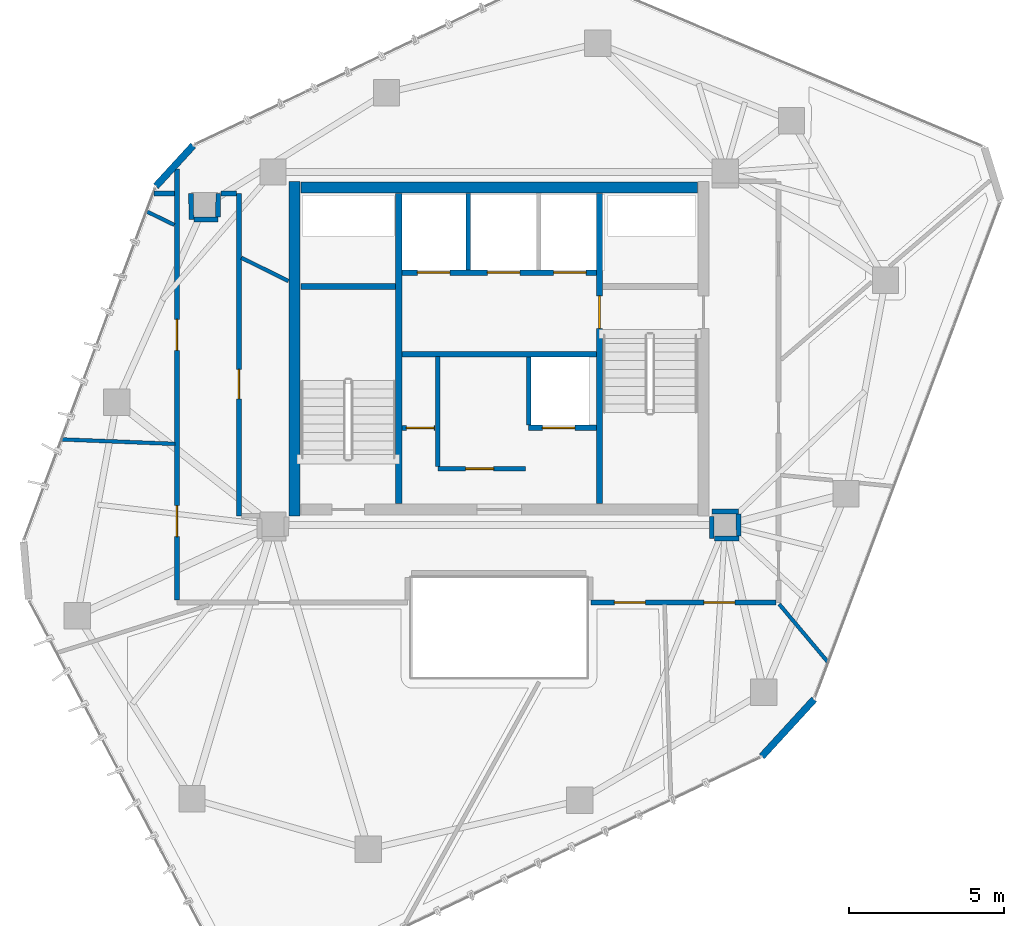
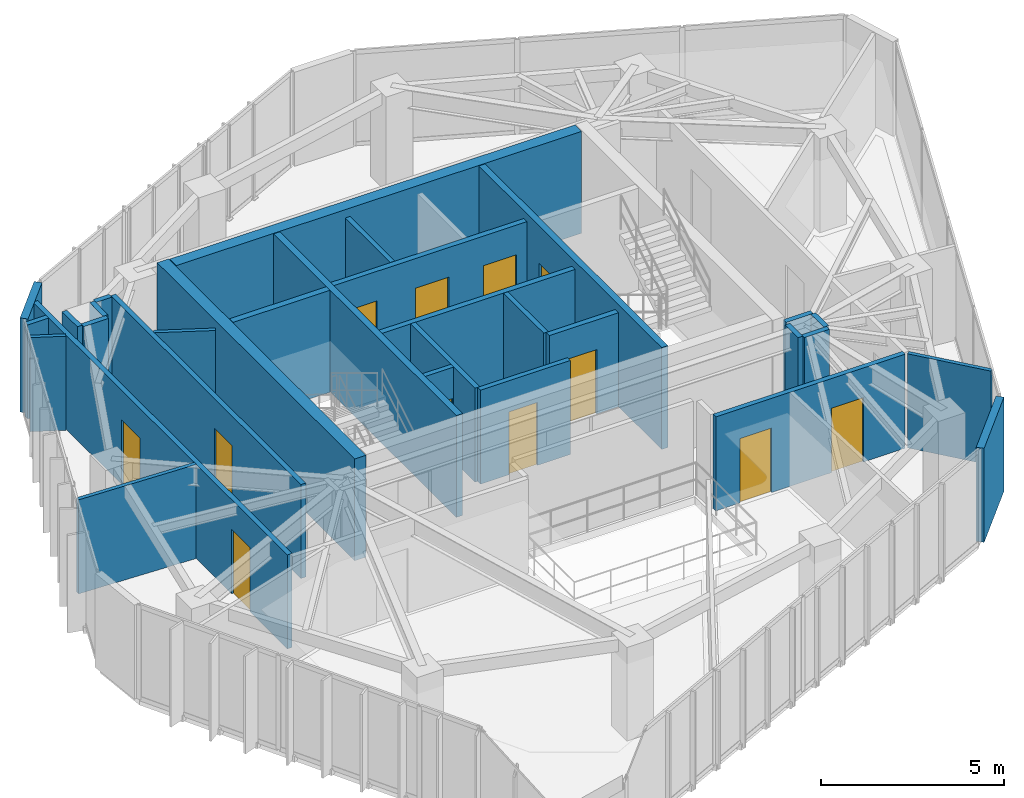
# One storey, part 17 of 20: 31 walls, 12 doors, 12 openings.
"""IFC4 building model written with IfcOpenShell, lengths in metres."""

from ifc_helpers import new_model, si_unit, direction, frame, frame_2d, origin, place, context, subcontext, project, spatial, rectangle, extrude, source, transform, mapped, material, layer, layer_set, type_object, type_shapes, element, fill, save


model = new_model("IFC4")

# Units and contexts
model_context = context("Model", 3, precision=1e-05, world=origin(), true_north=direction((0.0, 1.0)))
body_context = subcontext(model_context, "Body", "Model", "MODEL_VIEW")
ifc_project = project(units=[si_unit("LENGTHUNIT", "METRE"), si_unit("AREAUNIT", "SQUARE_METRE"), si_unit("VOLUMEUNIT", "CUBIC_METRE"), si_unit("PLANEANGLEUNIT", "RADIAN"), si_unit("MASSUNIT", "GRAM", prefix="KILO")], contexts=[model_context])

# Site, building, storey
site_placement = place(None, origin())
site = spatial("IfcSite", under=ifc_project, at=site_placement, CompositionType="ELEMENT")
building_placement = place(site_placement, origin())
building = spatial("IfcBuilding", under=site, at=building_placement, Name="Talar Marvaseh", CompositionType="ELEMENT")
storey_placement = place(building_placement, frame((0.0, 0.0, 268.0)))
storey = spatial("IfcBuildingStorey", under=building, at=storey_placement, Name="L71", CompositionType="ELEMENT", Elevation=268.0)

# Walls
ifc_material_1 = material(Name="Precast concrete C45/55", Category="concrete")
ifc_layer_1 = layer(ifc_material_1, 0.22509765625)
ifc_layer_set_1 = layer_set([ifc_layer_1], Name="Precast concrete C45/55")
wall_type_1 = type_object("IfcWallType", Name="Chamfered Hexagonal Corner Pier Wall Z4 225", PredefinedType="SOLIDWALL", material=ifc_layer_set_1)
wall_1_placement = place(storey_placement, frame((14.92431640625, 36.44140625, 0.0), z_axis=(0.0, 0.0, 1.0), x_axis=(0.675513511733, 0.737347608301, 0.0)))
element("IfcWall", 1, at=wall_1_placement, inside=storey, type_object=wall_type_1, Name="L71 Chamfered Corner Limestone Pier 3", PredefinedType="SOLIDWALL", context=body_context, shape_type="SweptSolid", body=[
    extrude(rectangle(XDim=1.78076171875, YDim=0.22509765625, at=frame_2d((0.890380859375, 0.0))), origin(), (0.0, 0.0, 1.0), 3.139892578125),
])
wall_2_placement = place(storey_placement, frame((36.169677734375, 19.87841796875, 0.0), z_axis=(0.0, 0.0, 1.0), x_axis=(-0.675605338352, -0.737263471759, 0.0)))
element("IfcWall", 2, at=wall_2_placement, inside=storey, type_object=wall_type_1, Name="L71 Chamfered Corner Limestone Pier 6", PredefinedType="SOLIDWALL", context=body_context, shape_type="SweptSolid", body=[
    extrude(rectangle(XDim=2.50244140625, YDim=0.22509765625, at=frame_2d((1.251220703125, 0.0))), origin(), (0.0, 0.0, 1.0), 3.139892578125),
])
ifc_material_2 = material(Name="Gypsum Board Partition Assembly")
ifc_layer_2 = layer(ifc_material_2, 0.155029296875)
ifc_layer_set_2 = layer_set([ifc_layer_2], Name="Gypsum Board Partition Assembly")
wall_type_2 = type_object("IfcWallType", Name="Corridor Fire-Rated Acoustic Partition 155", PredefinedType="PARTITIONING", material=ifc_layer_set_2)
wall_3_placement = place(storey_placement, frame((24.02001953125, 27.39990234375, 0.0), z_axis=(0.0, 0.0, 1.0), x_axis=(0.0, 1.0, 0.0)))
element("IfcWall", 3, at=wall_3_placement, inside=storey, type_object=wall_type_2, Name="L71 Core BOH Partition", PredefinedType="PARTITIONING", context=body_context, shape_type="SweptSolid", body=[
    extrude(rectangle(XDim=3.5400390625, YDim=0.155029296875, at=frame_2d((1.77001953125, 0.0))), origin(), (0.0, 0.0, 1.0), 3.139892578125),
])

# Wall, opening, door
wall_4_placement = place(storey_placement, frame((24.02001953125, 27.320068359375, 0.0), z_axis=(0.0, 0.0, 1.0), x_axis=(1.0, 0.0, 0.0)))
wall_4 = element("IfcWall", 4, at=wall_4_placement, inside=storey, type_object=wall_type_2, Name="L71 Core BOH Partition", PredefinedType="PARTITIONING", context=body_context, shape_type="SweptSolid", body=[
    extrude(rectangle(XDim=2.840087890625, YDim=0.155029296875, at=frame_2d((1.419921875, 0.0))), origin(), (0.0, 0.0, 1.0), 3.139892578125),
])
opening_1_placement = place(wall_4_placement, frame((0.89990234375, 0.0, 0.0)))
opening_1 = element("IfcOpeningElement", 5, at=opening_1_placement, cuts=wall_4, Name="Opening DR-BOH090", PredefinedType="OPENING", context=body_context, shape_type="SweptSolid", body=[
    extrude(rectangle(XDim=0.89990234375, YDim=2.10009765625, at=frame_2d((0.449951171875, 1.050048828125))), frame((0.0, 0.08740234375, 0.0), z_axis=(0.0, -1.0, 0.0), x_axis=(1.0, 0.0, 0.0)), (0.0, 0.0, 1.0), 0.175048828125),
])
ifc_material_3 = material(Name="Fire-Rated Steel Door Leaf", Category="steel")
door_type_1 = type_object("IfcDoorType", Name="Core Back-of-House Service Door 900x2100", OperationType="NOTDEFINED", PredefinedType="DOOR", material=ifc_material_3)
shared_shape_1 = source(origin(), body_context, "Body", "SweptSolid", [
    extrude(rectangle(XDim=0.89990234375, YDim=2.10009765625, at=frame_2d((0.449951171875, 1.050048828125))), frame((0.0, 0.02490234375, 0.0), z_axis=(0.0, -1.0, 0.0), x_axis=(1.0, 0.0, 0.0)), (0.0, 0.0, 1.0), 0.050048828125),
])
type_shapes(door_type_1, [shared_shape_1])
door_1_placement = place(opening_1_placement, origin())
door_1 = element("IfcDoor", 6, at=door_1_placement, inside=storey, type_object=door_type_1, Name="L71 Store Sky Curatorial Vault Door", OperationType="SINGLE_SWING_LEFT", OverallHeight=2.10009765625, OverallWidth=0.89990234375, PredefinedType="DOOR", context=body_context, shape_type="MappedRepresentation", body=[
    mapped(shared_shape_1, transform((0.0, 0.0, 0.0), x_axis=(1.0, 0.0, 0.0), y_axis=(0.0, 1.0, 0.0), z_axis=(0.0, 0.0, 1.0), scale=1.0)),
])
fill(opening_1, door_1)

wall_5_placement = place(storey_placement, frame((22.865966796875, 28.639892578125, 0.0), z_axis=(0.0, 0.0, 1.0), x_axis=(1.0, 0.0, 0.0)))
wall_5 = element("IfcWall", 7, at=wall_5_placement, inside=storey, type_object=wall_type_2, Name="L71 Core BOH Partition", PredefinedType="PARTITIONING", context=body_context, shape_type="SweptSolid", body=[
    extrude(rectangle(XDim=1.070556640625, YDim=0.155029296875, at=frame_2d((0.53515625, 0.0))), origin(), (0.0, 0.0, 1.0), 3.139892578125),
])
opening_2_placement = place(wall_5_placement, frame((0.139892578125, 0.0, 0.0)))
opening_2 = element("IfcOpeningElement", 8, at=opening_2_placement, cuts=wall_5, Name="Opening DR-BOH090", PredefinedType="OPENING", context=body_context, shape_type="SweptSolid", body=[
    extrude(rectangle(XDim=0.89990234375, YDim=2.10009765625, at=frame_2d((0.449951171875, 1.050048828125))), frame((0.0, 0.08740234375, 0.0), z_axis=(0.0, -1.0, 0.0), x_axis=(1.0, 0.0, 0.0)), (0.0, 0.0, 1.0), 0.175048828125),
])
door_2_placement = place(opening_2_placement, origin())
door_2 = element("IfcDoor", 9, at=door_2_placement, inside=storey, type_object=door_type_1, Name="L71 Cleaner Core West Closet Door", OperationType="SINGLE_SWING_RIGHT", OverallHeight=2.10009765625, OverallWidth=0.89990234375, PredefinedType="DOOR", context=body_context, shape_type="MappedRepresentation", body=[
    mapped(shared_shape_1, transform((0.0, 0.0, 0.0), x_axis=(1.0, 0.0, 0.0), y_axis=(0.0, 1.0, 0.0), z_axis=(0.0, 0.0, 1.0), scale=1.0)),
])
fill(opening_2, door_2)

wall_6_placement = place(storey_placement, frame((17.60009765625, 36.199951171875, 0.0), z_axis=(0.0, 0.0, 1.0), x_axis=(0.0, -1.0, 0.0)))
wall_6 = element("IfcWall", 10, at=wall_6_placement, inside=storey, type_object=wall_type_2, Name="L71 Interior Partition Wall", PredefinedType="PARTITIONING", context=body_context, shape_type="SweptSolid", body=[
    extrude(rectangle(XDim=10.39990234375, YDim=0.155029296875, at=frame_2d((5.199951171875, 0.0))), origin(), (0.0, 0.0, 1.0), 3.139892578125),
])
opening_3_placement = place(wall_6_placement, frame((5.672119140625, 0.0, 0.0)))
opening_3 = element("IfcOpeningElement", 11, at=opening_3_placement, cuts=wall_6, Name="Opening DR-WC095", PredefinedType="OPENING", context=body_context, shape_type="SweptSolid", body=[
    extrude(rectangle(XDim=0.949951171875, YDim=2.14990234375, at=frame_2d((0.47509765625, 1.074951171875))), frame((0.0, 0.08740234375, 0.0), z_axis=(0.0, -1.0, 0.0), x_axis=(1.0, 0.0, 0.0)), (0.0, 0.0, 1.0), 0.175048828125),
])
ifc_material_4 = material(Name="Acoustic Engineered Oak Timber", Category="wood")
door_type_2 = type_object("IfcDoorType", Name="Washroom and Service Room Door 950x2150", OperationType="NOTDEFINED", PredefinedType="DOOR", material=ifc_material_4)
shared_shape_2 = source(origin(), body_context, "Body", "SweptSolid", [
    extrude(rectangle(XDim=0.949951171875, YDim=2.14990234375, at=frame_2d((0.47509765625, 1.074951171875))), frame((0.0, 0.02490234375, 0.0), z_axis=(0.0, -1.0, 0.0), x_axis=(1.0, 0.0, 0.0)), (0.0, 0.0, 1.0), 0.050048828125),
])
type_shapes(door_type_2, [shared_shape_2])
door_3_placement = place(opening_3_placement, origin())
door_3 = element("IfcDoor", 12, at=door_3_placement, inside=storey, type_object=door_type_2, Name="L71 Accessible WC Door", OperationType="SINGLE_SWING_RIGHT", OverallHeight=2.14990234375, OverallWidth=0.949951171875, PredefinedType="DOOR", context=body_context, shape_type="MappedRepresentation", body=[
    mapped(shared_shape_2, transform((0.0, 0.0, 0.0), x_axis=(1.0, 0.0, 0.0), y_axis=(0.0, 1.0, 0.0), z_axis=(0.0, 0.0, 1.0), scale=1.0)),
])
fill(opening_3, door_3)

# Wall, openings, doors
wall_7_placement = place(storey_placement, frame((34.9365234375, 23.0, 0.0), z_axis=(0.0, 0.0, 1.0), x_axis=(-1.0, 0.0, 0.0)))
wall_7 = element("IfcWall", 13, at=wall_7_placement, inside=storey, type_object=wall_type_2, Name="L71 Interior Partition Wall", PredefinedType="PARTITIONING", context=body_context, shape_type="SweptSolid", body=[
    extrude(rectangle(XDim=5.9765625, YDim=0.155029296875, at=frame_2d((2.98828125, 0.0))), origin(), (0.0, 0.0, 1.0), 3.139892578125),
])
opening_4_placement = place(wall_7_placement, frame((4.215087890625, 0.0, 0.0)))
opening_4 = element("IfcOpeningElement", 14, at=opening_4_placement, cuts=wall_7, Name="Opening DR-RM100", PredefinedType="OPENING", context=body_context, shape_type="SweptSolid", body=[
    extrude(rectangle(XDim=1.0, YDim=2.14990234375, at=frame_2d((0.5, 1.074951171875))), frame((0.0, 0.08740234375, 0.0), z_axis=(0.0, -1.0, 0.0), x_axis=(1.0, 0.0, 0.0)), (0.0, 0.0, 1.0), 0.175048828125),
])
opening_5_placement = place(wall_7_placement, frame((1.324951171875, 0.0, 0.0)))
opening_5 = element("IfcOpeningElement", 15, at=opening_5_placement, cuts=wall_7, Name="Opening DR-RM100", PredefinedType="OPENING", context=body_context, shape_type="SweptSolid", body=[
    extrude(rectangle(XDim=1.0, YDim=2.14990234375, at=frame_2d((0.5, 1.074951171875))), frame((0.0, 0.08740234375, 0.0), z_axis=(0.0, -1.0, 0.0), x_axis=(1.0, 0.0, 0.0)), (0.0, 0.0, 1.0), 0.175048828125),
])
door_type_3 = type_object("IfcDoorType", Name="Corridor Fire-Rated Gallery Door 1000x2150", OperationType="NOTDEFINED", PredefinedType="DOOR", material=ifc_material_4)
shared_shape_3 = source(origin(), body_context, "Body", "SweptSolid", [
    extrude(rectangle(XDim=1.0, YDim=2.14990234375, at=frame_2d((0.5, 1.074951171875))), frame((0.0, 0.02490234375, 0.0), z_axis=(0.0, -1.0, 0.0), x_axis=(1.0, 0.0, 0.0)), (0.0, 0.0, 1.0), 0.050048828125),
])
type_shapes(door_type_3, [shared_shape_3])
door_4_placement = place(opening_4_placement, origin())
door_4 = element("IfcDoor", 16, at=door_4_placement, inside=storey, type_object=door_type_3, Name="L71 Artisan Craft Showroom Door", OperationType="SINGLE_SWING_RIGHT", OverallHeight=2.14990234375, OverallWidth=1.0, PredefinedType="DOOR", context=body_context, shape_type="MappedRepresentation", body=[
    mapped(shared_shape_3, transform((0.0, 0.0, 0.0), x_axis=(1.0, 0.0, 0.0), y_axis=(0.0, 1.0, 0.0), z_axis=(0.0, 0.0, 1.0), scale=1.0)),
])
fill(opening_4, door_4)
door_5_placement = place(opening_5_placement, origin())
door_5 = element("IfcDoor", 17, at=door_5_placement, inside=storey, type_object=door_type_3, Name="L71 Registrar Mail and Post Room Door", OperationType="SINGLE_SWING_LEFT", OverallHeight=2.14990234375, OverallWidth=1.0, PredefinedType="DOOR", context=body_context, shape_type="MappedRepresentation", body=[
    mapped(shared_shape_3, transform((0.0, 0.0, 0.0), x_axis=(1.0, 0.0, 0.0), y_axis=(0.0, 1.0, 0.0), z_axis=(0.0, 0.0, 1.0), scale=1.0)),
])
fill(opening_5, door_5)

wall_8_placement = place(storey_placement, frame((15.60009765625, 23.08349609375, 0.0), z_axis=(0.0, 0.0, 1.0), x_axis=(0.0, 1.0, 0.0)))
wall_8 = element("IfcWall", 18, at=wall_8_placement, inside=storey, type_object=wall_type_2, Name="L71 Interior Partition Wall", PredefinedType="PARTITIONING", context=body_context, shape_type="SweptSolid", body=[
    extrude(rectangle(XDim=13.910400390625, YDim=0.155029296875, at=frame_2d((6.955078125, 0.0))), origin(), (0.0, 0.0, 1.0), 3.139892578125),
])
opening_6_placement = place(wall_8_placement, frame((2.044677734375, 0.0, 0.0)))
opening_6 = element("IfcOpeningElement", 19, at=opening_6_placement, cuts=wall_8, Name="Opening DR-RM100", PredefinedType="OPENING", context=body_context, shape_type="SweptSolid", body=[
    extrude(rectangle(XDim=1.0, YDim=2.14990234375, at=frame_2d((0.5, 1.074951171875))), frame((0.0, 0.08740234375, 0.0), z_axis=(0.0, -1.0, 0.0), x_axis=(1.0, 0.0, 0.0)), (0.0, 0.0, 1.0), 0.175048828125),
])
opening_7_placement = place(wall_8_placement, frame((8.0556640625, 0.0, 0.0)))
opening_7 = element("IfcOpeningElement", 20, at=opening_7_placement, cuts=wall_8, Name="Opening DR-RM100", PredefinedType="OPENING", context=body_context, shape_type="SweptSolid", body=[
    extrude(rectangle(XDim=1.0, YDim=2.14990234375, at=frame_2d((0.5, 1.074951171875))), frame((0.0, 0.08740234375, 0.0), z_axis=(0.0, -1.0, 0.0), x_axis=(1.0, 0.0, 0.0)), (0.0, 0.0, 1.0), 0.175048828125),
])
door_6_placement = place(opening_6_placement, origin())
door_6 = element("IfcDoor", 21, at=door_6_placement, inside=storey, type_object=door_type_3, Name="L71 Museum Publication Bookshop Door", OperationType="SINGLE_SWING_RIGHT", OverallHeight=2.14990234375, OverallWidth=1.0, PredefinedType="DOOR", context=body_context, shape_type="MappedRepresentation", body=[
    mapped(shared_shape_3, transform((0.0, 0.0, 0.0), x_axis=(1.0, 0.0, 0.0), y_axis=(0.0, 1.0, 0.0), z_axis=(0.0, 0.0, 1.0), scale=1.0)),
])
fill(opening_6, door_6)
door_7_placement = place(opening_7_placement, origin())
door_7 = element("IfcDoor", 22, at=door_7_placement, inside=storey, type_object=door_type_3, Name="L71 Digital Paleography Studio Door", OperationType="SINGLE_SWING_LEFT", OverallHeight=2.14990234375, OverallWidth=1.0, PredefinedType="DOOR", context=body_context, shape_type="MappedRepresentation", body=[
    mapped(shared_shape_3, transform((0.0, 0.0, 0.0), x_axis=(1.0, 0.0, 0.0), y_axis=(0.0, 1.0, 0.0), z_axis=(0.0, 0.0, 1.0), scale=1.0)),
])
fill(opening_7, door_7)

# Walls
wall_9_placement = place(storey_placement, frame((16.053955078125, 36.199951171875, 0.0), z_axis=(0.0, 0.0, 1.0), x_axis=(0.018168161375, -0.999834945335, 0.0)))
element("IfcWall", 23, at=wall_9_placement, inside=storey, type_object=wall_type_2, Name="L71 Interior Partition Wall", PredefinedType="PARTITIONING", context=body_context, shape_type="SweptSolid", body=[
    extrude(rectangle(XDim=0.833251953125, YDim=0.155029296875, at=frame_2d((0.41650390625, 0.0))), origin(), (0.0, 0.0, 1.0), 3.139892578125),
])
wall_10_placement = place(storey_placement, frame((16.152587890625, 35.3671875, 0.0), z_axis=(0.0, 0.0, 1.0), x_axis=(0.999997558852, 0.002209590566, 0.0)))
element("IfcWall", 24, at=wall_10_placement, inside=storey, type_object=wall_type_2, Name="L71 Interior Partition Wall", PredefinedType="PARTITIONING", context=body_context, shape_type="SweptSolid", body=[
    extrude(rectangle(XDim=0.7734375, YDim=0.155029296875, at=frame_2d((0.38671875, 0.0))), origin(), (0.0, 0.0, 1.0), 3.139892578125),
])
wall_11_placement = place(storey_placement, frame((16.927001953125, 35.452392578125, 0.0), z_axis=(0.0, 0.0, 1.0), x_axis=(0.009470509294, 0.999955153721, 0.0)))
element("IfcWall", 25, at=wall_11_placement, inside=storey, type_object=wall_type_2, Name="L71 Interior Partition Wall", PredefinedType="PARTITIONING", context=body_context, shape_type="SweptSolid", body=[
    extrude(rectangle(XDim=0.74755859375, YDim=0.155029296875, at=frame_2d((0.373779296875, 0.0))), origin(), (0.0, 0.0, 1.0), 3.139892578125),
])
wall_12_placement = place(storey_placement, frame((17.017578125, 36.199951171875, 0.0), z_axis=(0.0, 0.0, 1.0), x_axis=(1.0, 0.0, 0.0)))
element("IfcWall", 26, at=wall_12_placement, inside=storey, type_object=wall_type_2, Name="L71 Interior Partition Wall", PredefinedType="PARTITIONING", context=body_context, shape_type="SweptSolid", body=[
    extrude(rectangle(XDim=0.4990234375, YDim=0.155029296875, at=frame_2d((0.24951171875, 0.0))), origin(), (0.0, 0.0, 1.0), 3.139892578125),
])
wall_13_placement = place(storey_placement, frame((14.8544921875, 36.199951171875, 0.0), z_axis=(0.0, 0.0, 1.0), x_axis=(1.0, 0.0, 0.0)))
element("IfcWall", 27, at=wall_13_placement, inside=storey, type_object=wall_type_2, Name="L71 Interior Partition Wall", PredefinedType="PARTITIONING", context=body_context, shape_type="SweptSolid", body=[
    extrude(rectangle(XDim=0.662109375, YDim=0.155029296875, at=frame_2d((0.3310546875, 0.0))), origin(), (0.0, 0.0, 1.0), 3.139892578125),
])
wall_14_placement = place(storey_placement, frame((33.72509765625, 25.93994140625, 0.0), z_axis=(0.0, 0.0, 1.0), x_axis=(-0.999986790873, -0.005139852152, 0.0)))
element("IfcWall", 28, at=wall_14_placement, inside=storey, type_object=wall_type_2, Name="L71 Interior Partition Wall", PredefinedType="PARTITIONING", context=body_context, shape_type="SweptSolid", body=[
    extrude(rectangle(XDim=0.85498046875, YDim=0.155029296875, at=frame_2d((0.427490234375, 0.0))), origin(), (0.0, 0.0, 1.0), 3.139892578125),
])
wall_15_placement = place(storey_placement, frame((32.864501953125, 25.772705078125, 0.0), z_axis=(0.0, 0.0, 1.0), x_axis=(0.0, -1.0, 0.0)))
element("IfcWall", 29, at=wall_15_placement, inside=storey, type_object=wall_type_2, Name="L71 Interior Partition Wall", PredefinedType="PARTITIONING", context=body_context, shape_type="SweptSolid", body=[
    extrude(rectangle(XDim=0.708251953125, YDim=0.155029296875, at=frame_2d((0.35400390625, 0.0))), origin(), (0.0, 0.0, 1.0), 3.139892578125),
])
wall_16_placement = place(storey_placement, frame((32.947998046875, 25.064453125, 0.0), z_axis=(0.0, 0.0, 1.0), x_axis=(1.0, 0.0, 0.0)))
element("IfcWall", 30, at=wall_16_placement, inside=storey, type_object=wall_type_2, Name="L71 Interior Partition Wall", PredefinedType="PARTITIONING", context=body_context, shape_type="SweptSolid", body=[
    extrude(rectangle(XDim=0.78759765625, YDim=0.155029296875, at=frame_2d((0.393798828125, 0.0))), origin(), (0.0, 0.0, 1.0), 3.139892578125),
])
wall_17_placement = place(storey_placement, frame((33.734619140625, 25.14794921875, 0.0), z_axis=(0.0, 0.0, 1.0), x_axis=(-0.012059770759, 0.99992727832, 0.0)))
element("IfcWall", 31, at=wall_17_placement, inside=storey, type_object=wall_type_2, Name="L71 Interior Partition Wall", PredefinedType="PARTITIONING", context=body_context, shape_type="SweptSolid", body=[
    extrude(rectangle(XDim=0.70849609375, YDim=0.155029296875, at=frame_2d((0.354248046875, 0.0))), origin(), (0.0, 0.0, 1.0), 3.139892578125),
])
ifc_layer_3 = layer(ifc_material_2, 0.1201171875)
ifc_layer_set_3 = layer_set([ifc_layer_3], Name="Gypsum Board Partition Assembly")
wall_type_3 = type_object("IfcWallType", Name="Demountable Studio Room Partition 120", PredefinedType="PARTITIONING", material=ifc_layer_set_3)
wall_18_placement = place(storey_placement, frame((11.899658203125, 28.26708984375, 0.0), z_axis=(0.0, 0.0, 1.0), x_axis=(0.999210683358, -0.039724177325, 0.0)))
element("IfcWall", 32, at=wall_18_placement, inside=storey, type_object=wall_type_3, Name="L71 Interior Partition Wall", PredefinedType="PARTITIONING", context=body_context, shape_type="SweptSolid", body=[
    extrude(rectangle(XDim=3.638427734375, YDim=0.1201171875, at=frame_2d((1.8193359375, 0.0))), origin(), (0.0, 0.0, 1.0), 3.139892578125),
])
wall_19_placement = place(storey_placement, frame((35.041748046875, 22.9501953125, 0.0), z_axis=(0.0, 0.0, 1.0), x_axis=(0.643194443342, -0.765702884972, 0.0)))
element("IfcWall", 33, at=wall_19_placement, inside=storey, type_object=wall_type_3, Name="L71 Interior Partition Wall", PredefinedType="PARTITIONING", context=body_context, shape_type="SweptSolid", body=[
    extrude(rectangle(XDim=2.42919921875, YDim=0.1201171875, at=frame_2d((1.214599609375, 0.0))), origin(), (0.0, 0.0, 1.0), 3.139892578125),
])
wall_20_placement = place(storey_placement, frame((15.5166015625, 35.190673828125, 0.0), z_axis=(0.0, 0.0, 1.0), x_axis=(-0.898835754268, 0.438285622454, 0.0)))
element("IfcWall", 34, at=wall_20_placement, inside=storey, type_object=wall_type_3, Name="L71 Interior Partition Wall", PredefinedType="PARTITIONING", context=body_context, shape_type="SweptSolid", body=[
    extrude(rectangle(XDim=0.975830078125, YDim=0.1201171875, at=frame_2d((0.48779296875, 0.0))), origin(), (0.0, 0.0, 1.0), 3.139892578125),
])
wall_21_placement = place(storey_placement, frame((19.199951171875, 33.3798828125, 0.0), z_axis=(0.0, 0.0, 1.0), x_axis=(-0.89658201536, 0.442877736777, 0.0)))
element("IfcWall", 35, at=wall_21_placement, inside=storey, type_object=wall_type_3, Name="L71 Interior Partition Wall", PredefinedType="PARTITIONING", context=body_context, shape_type="SweptSolid", body=[
    extrude(rectangle(XDim=1.691162109375, YDim=0.1201171875, at=frame_2d((0.845703125, 0.0))), origin(), (0.0, 0.0, 1.0), 3.139892578125),
])
ifc_layer_4 = layer(ifc_material_1, 0.14501953125)
ifc_layer_set_4 = layer_set([ifc_layer_4], Name="Precast concrete C45/55")
wall_type_4 = type_object("IfcWallType", Name="Fire-Rated Lift Divider Wall 145", PredefinedType="SOLIDWALL", material=ifc_layer_set_4)
wall_22_placement = place(storey_placement, frame((25.0, 33.743408203125, 0.0), z_axis=(0.0, 0.0, 1.0), x_axis=(0.0, 1.0, 0.0)))
element("IfcWall", 36, at=wall_22_placement, inside=storey, type_object=wall_type_4, Name="L71 FFL-1/FFL-2 Divider", PredefinedType="SOLIDWALL", context=body_context, shape_type="SweptSolid", body=[
    extrude(rectangle(XDim=2.45654296875, YDim=0.14501953125, at=frame_2d((1.228271484375, 0.0))), origin(), (0.0, 0.0, 1.0), 3.139892578125),
])
wall_23_placement = place(storey_placement, frame((26.949951171875, 28.7333984375, 0.0), z_axis=(0.0, 0.0, 1.0), x_axis=(0.0, 1.0, 0.0)))
element("IfcWall", 37, at=wall_23_placement, inside=storey, type_object=wall_type_4, Name="L71 PL-H3 West Shaft Wall", PredefinedType="SOLIDWALL", context=body_context, shape_type="SweptSolid", body=[
    extrude(rectangle(XDim=2.193115234375, YDim=0.14501953125, at=frame_2d((1.0966796875, 0.0))), origin(), (0.0, 0.0, 1.0), 3.139892578125),
])

# Wall, openings, doors
ifc_layer_5 = layer(ifc_material_1, 0.175048828125)
ifc_layer_set_5 = layer_set([ifc_layer_5], Name="Precast concrete C45/55")
wall_type_5 = type_object("IfcWallType", Name="Fire-Rated Lift Hoistway Enclosure Wall 175", PredefinedType="SOLIDWALL", material=ifc_layer_set_5)
wall_24_placement = place(storey_placement, frame((22.860107421875, 33.64990234375, 0.0), z_axis=(0.0, 0.0, 1.0), x_axis=(1.0, 0.0, 0.0)))
wall_24 = element("IfcWall", 38, at=wall_24_placement, inside=storey, type_object=wall_type_5, Name="L71 Firefighting and Service Lift Front Wall", PredefinedType="SOLIDWALL", context=body_context, shape_type="SweptSolid", body=[
    extrude(rectangle(XDim=6.27978515625, YDim=0.175048828125, at=frame_2d((3.139892578125, 0.0))), origin(), (0.0, 0.0, 1.0), 3.139892578125),
])
opening_8_placement = place(wall_24_placement, frame((0.5, 0.0, 0.0)))
opening_8 = element("IfcOpeningElement", 39, at=opening_8_placement, cuts=wall_24, Name="Opening LD-FF1", PredefinedType="OPENING", context=body_context, shape_type="SweptSolid", body=[
    extrude(rectangle(XDim=1.050048828125, YDim=2.14990234375, at=frame_2d((0.52490234375, 1.074951171875))), frame((0.0, 0.09765625, 0.0), z_axis=(0.0, -1.0, 0.0), x_axis=(1.0, 0.0, 0.0)), (0.0, 0.0, 1.0), 0.195068359375),
])
opening_9_placement = place(wall_24_placement, frame((2.760009765625, 0.0, 0.0)))
opening_9 = element("IfcOpeningElement", 40, at=opening_9_placement, cuts=wall_24, Name="Opening LD-FF2", PredefinedType="OPENING", context=body_context, shape_type="SweptSolid", body=[
    extrude(rectangle(XDim=1.050048828125, YDim=2.14990234375, at=frame_2d((0.52490234375, 1.074951171875))), frame((0.0, 0.09765625, 0.0), z_axis=(0.0, -1.0, 0.0), x_axis=(1.0, 0.0, 0.0)), (0.0, 0.0, 1.0), 0.195068359375),
])
opening_10_placement = place(wall_24_placement, frame((4.89990234375, 0.0, 0.0)))
opening_10 = element("IfcOpeningElement", 41, at=opening_10_placement, cuts=wall_24, Name="Opening LD-SV1", PredefinedType="OPENING", context=body_context, shape_type="SweptSolid", body=[
    extrude(rectangle(XDim=1.050048828125, YDim=2.14990234375, at=frame_2d((0.52490234375, 1.074951171875))), frame((0.0, 0.09765625, 0.0), z_axis=(0.0, -1.0, 0.0), x_axis=(1.0, 0.0, 0.0)), (0.0, 0.0, 1.0), 0.195068359375),
])
ifc_material_5 = material(Name="Stainless Steel Grade 316", Category="steel")
door_type_4 = type_object("IfcDoorType", Name="Automatic Sliding Lift Landing Door 1050x2150", OperationType="NOTDEFINED", PredefinedType="DOOR", material=ifc_material_5)
shared_shape_4 = source(origin(), body_context, "Body", "SweptSolid", [
    extrude(rectangle(XDim=1.050048828125, YDim=2.14990234375, at=frame_2d((0.52490234375, 1.074951171875))), frame((0.0, 0.02490234375, 0.0), z_axis=(0.0, -1.0, 0.0), x_axis=(1.0, 0.0, 0.0)), (0.0, 0.0, 1.0), 0.050048828125),
])
type_shapes(door_type_4, [shared_shape_4])
door_8_placement = place(opening_8_placement, origin())
door_8 = element("IfcDoor", 42, at=door_8_placement, inside=storey, type_object=door_type_4, Name="L71 Lift FFL-1 Sliding Landing Door", OperationType="SLIDING_TO_LEFT", OverallHeight=2.14990234375, OverallWidth=1.050048828125, PredefinedType="DOOR", context=body_context, shape_type="MappedRepresentation", body=[
    mapped(shared_shape_4, transform((0.0, 0.0, 0.0), x_axis=(1.0, 0.0, 0.0), y_axis=(0.0, 1.0, 0.0), z_axis=(0.0, 0.0, 1.0), scale=1.0)),
])
fill(opening_8, door_8)
door_9_placement = place(opening_9_placement, origin())
door_9 = element("IfcDoor", 43, at=door_9_placement, inside=storey, type_object=door_type_4, Name="L71 Lift FFL-2 Sliding Landing Door", OperationType="SLIDING_TO_LEFT", OverallHeight=2.14990234375, OverallWidth=1.050048828125, PredefinedType="DOOR", context=body_context, shape_type="MappedRepresentation", body=[
    mapped(shared_shape_4, transform((0.0, 0.0, 0.0), x_axis=(1.0, 0.0, 0.0), y_axis=(0.0, 1.0, 0.0), z_axis=(0.0, 0.0, 1.0), scale=1.0)),
])
fill(opening_9, door_9)
door_10_placement = place(opening_10_placement, origin())
door_10 = element("IfcDoor", 44, at=door_10_placement, inside=storey, type_object=door_type_4, Name="L71 Lift SVL-1 Sliding Landing Door", OperationType="SLIDING_TO_LEFT", OverallHeight=2.14990234375, OverallWidth=1.050048828125, PredefinedType="DOOR", context=body_context, shape_type="MappedRepresentation", body=[
    mapped(shared_shape_4, transform((0.0, 0.0, 0.0), x_axis=(1.0, 0.0, 0.0), y_axis=(0.0, 1.0, 0.0), z_axis=(0.0, 0.0, 1.0), scale=1.0)),
])
fill(opening_10, door_10)

# Wall
wall_25_placement = place(storey_placement, frame((22.860107421875, 31.02001953125, 0.0), z_axis=(0.0, 0.0, 1.0), x_axis=(1.0, 0.0, 0.0)))
element("IfcWall", 45, at=wall_25_placement, inside=storey, type_object=wall_type_5, Name="L71 Firefighting Lobby South Smoke Wall", PredefinedType="SOLIDWALL", context=body_context, shape_type="SweptSolid", body=[
    extrude(rectangle(XDim=6.27978515625, YDim=0.175048828125, at=frame_2d((3.139892578125, 0.0))), origin(), (0.0, 0.0, 1.0), 3.139892578125),
])

# Wall, opening, door
wall_26_placement = place(storey_placement, frame((26.949951171875, 28.639892578125, 0.0), z_axis=(0.0, 0.0, 1.0), x_axis=(1.0, 0.0, 0.0)))
wall_26 = element("IfcWall", 46, at=wall_26_placement, inside=storey, type_object=wall_type_5, Name="L71 Sky Express Lift Front Wall", PredefinedType="SOLIDWALL", context=body_context, shape_type="SweptSolid", body=[
    extrude(rectangle(XDim=2.18994140625, YDim=0.175048828125, at=frame_2d((1.094970703125, 0.0))), origin(), (0.0, 0.0, 1.0), 3.139892578125),
])
opening_11_placement = place(wall_26_placement, frame((0.449951171875, 0.0, 0.0)))
opening_11 = element("IfcOpeningElement", 47, at=opening_11_placement, cuts=wall_26, Name="Opening LD-PLH3", PredefinedType="OPENING", context=body_context, shape_type="SweptSolid", body=[
    extrude(rectangle(XDim=1.050048828125, YDim=2.14990234375, at=frame_2d((0.52490234375, 1.074951171875))), frame((0.0, 0.09765625, 0.0), z_axis=(0.0, -1.0, 0.0), x_axis=(1.0, 0.0, 0.0)), (0.0, 0.0, 1.0), 0.195068359375),
])
door_11_placement = place(opening_11_placement, origin())
door_11 = element("IfcDoor", 48, at=door_11_placement, inside=storey, type_object=door_type_4, Name="L71 Lift PL-H3 Sliding Landing Door", OperationType="SLIDING_TO_LEFT", OverallHeight=2.14990234375, OverallWidth=1.050048828125, PredefinedType="DOOR", context=body_context, shape_type="MappedRepresentation", body=[
    mapped(shared_shape_4, transform((0.0, 0.0, 0.0), x_axis=(1.0, 0.0, 0.0), y_axis=(0.0, 1.0, 0.0), z_axis=(0.0, 0.0, 1.0), scale=1.0)),
])
fill(opening_11, door_11)

# Wall
ifc_material_6 = material(Name="Concrete C50/60", Category="concrete")
ifc_layer_6 = layer(ifc_material_6, 0.199951171875)
ifc_layer_set_6 = layer_set([ifc_layer_6], Name="Concrete C50/60")
wall_type_6 = type_object("IfcWallType", Name="Stair Shaft Structural Concrete Shear Wall 200", PredefinedType="SHEAR", material=ifc_layer_set_6)
wall_27_placement = place(storey_placement, frame((22.760009765625, 26.199951171875, 0.0), z_axis=(0.0, 0.0, 1.0), x_axis=(0.0, 1.0, 0.0)))
element("IfcWall", 49, at=wall_27_placement, inside=storey, type_object=wall_type_6, Name="L71 Core West Stair Shear Wall", PredefinedType="SHEAR", context=body_context, shape_type="SweptSolid", body=[
    extrude(rectangle(XDim=10.0, YDim=0.199951171875, at=frame_2d((5.0, 0.0))), origin(), (0.0, 0.0, 1.0), 3.39990234375),
])

# Wall, opening, door
wall_28_placement = place(storey_placement, frame((29.239990234375, 26.199951171875, 0.0), z_axis=(0.0, 0.0, 1.0), x_axis=(0.0, 1.0, 0.0)))
wall_28 = element("IfcWall", 50, at=wall_28_placement, inside=storey, type_object=wall_type_6, Name="L71 Core East Stair Shear Wall", PredefinedType="SHEAR", context=body_context, shape_type="SweptSolid", body=[
    extrude(rectangle(XDim=10.0, YDim=0.199951171875, at=frame_2d((5.0, 0.0))), origin(), (0.0, 0.0, 1.0), 3.39990234375),
])
opening_12_placement = place(wall_28_placement, frame((5.64990234375, 0.0, 0.0)))
opening_12 = element("IfcOpeningElement", 51, at=opening_12_placement, cuts=wall_28, Name="Opening DR-ST105", PredefinedType="OPENING", context=body_context, shape_type="SweptSolid", body=[
    extrude(rectangle(XDim=1.050048828125, YDim=2.14990234375, at=frame_2d((0.52490234375, 1.074951171875))), frame((0.0, 0.10986328125, 0.0), z_axis=(0.0, -1.0, 0.0), x_axis=(1.0, 0.0, 0.0)), (0.0, 0.0, 1.0), 0.219970703125),
])
door_type_5 = type_object("IfcDoorType", Name="Protected Exit Stair Fire Door 1050x2150", OperationType="NOTDEFINED", PredefinedType="DOOR", material=ifc_material_3)
shared_shape_5 = source(origin(), body_context, "Body", "SweptSolid", [
    extrude(rectangle(XDim=1.050048828125, YDim=2.14990234375, at=frame_2d((0.52490234375, 1.074951171875))), frame((0.0, 0.02490234375, 0.0), z_axis=(0.0, -1.0, 0.0), x_axis=(1.0, 0.0, 0.0)), (0.0, 0.0, 1.0), 0.050048828125),
])
type_shapes(door_type_5, [shared_shape_5])
door_12_placement = place(opening_12_placement, origin())
door_12 = element("IfcDoor", 52, at=door_12_placement, inside=storey, type_object=door_type_5, Name="L71 Firefighting Lobby to Stair ST-2 Door", OperationType="SINGLE_SWING_LEFT", OverallHeight=2.14990234375, OverallWidth=1.050048828125, PredefinedType="DOOR", context=body_context, shape_type="MappedRepresentation", body=[
    mapped(shared_shape_5, transform((0.0, 0.0, 0.0), x_axis=(1.0, 0.0, 0.0), y_axis=(0.0, 1.0, 0.0), z_axis=(0.0, 0.0, 1.0), scale=1.0)),
])
fill(opening_12, door_12)

# Walls
wall_29_placement = place(storey_placement, frame((19.60009765625, 33.199951171875, 0.0), z_axis=(0.0, 0.0, 1.0), x_axis=(1.0, 0.0, 0.0)))
element("IfcWall", 53, at=wall_29_placement, inside=storey, type_object=wall_type_6, Name="L71 Stair ST-1 North Shear Wall", PredefinedType="SHEAR", context=body_context, shape_type="SweptSolid", body=[
    extrude(rectangle(XDim=3.059814453125, YDim=0.199951171875, at=frame_2d((1.52978515625, 0.0))), origin(), (0.0, 0.0, 1.0), 3.39990234375),
])
ifc_layer_7 = layer(ifc_material_6, 0.360107421875)
ifc_layer_set_7 = layer_set([ifc_layer_7], Name="Concrete C50/60")
wall_type_7 = type_object("IfcWallType", Name="Upper Core Reinforced Concrete Shear Wall 360", PredefinedType="SHEAR", material=ifc_layer_set_7)
wall_30_placement = place(storey_placement, frame((19.39990234375, 25.800048828125, 0.0), z_axis=(0.0, 0.0, 1.0), x_axis=(0.0, 1.0, 0.0)))
element("IfcWall", 54, at=wall_30_placement, inside=storey, type_object=wall_type_7, Name="L71 West Core Shear Wall", PredefinedType="SHEAR", context=body_context, shape_type="SweptSolid", body=[
    extrude(rectangle(XDim=10.800048828125, YDim=0.360107421875, at=frame_2d((5.39990234375, 0.0))), origin(), (0.0, 0.0, 1.0), 3.39990234375),
])
wall_31_placement = place(storey_placement, frame((19.60009765625, 36.39990234375, 0.0), z_axis=(0.0, 0.0, 1.0), x_axis=(1.0, 0.0, 0.0)))
element("IfcWall", 55, at=wall_31_placement, inside=storey, type_object=wall_type_7, Name="L71 North Core Shear Wall", PredefinedType="SHEAR", context=body_context, shape_type="SweptSolid", body=[
    extrude(rectangle(XDim=12.7998046875, YDim=0.360107421875, at=frame_2d((6.39990234375, 0.0))), origin(), (0.0, 0.0, 1.0), 3.39990234375),
])

save(model, "model.ifc")
